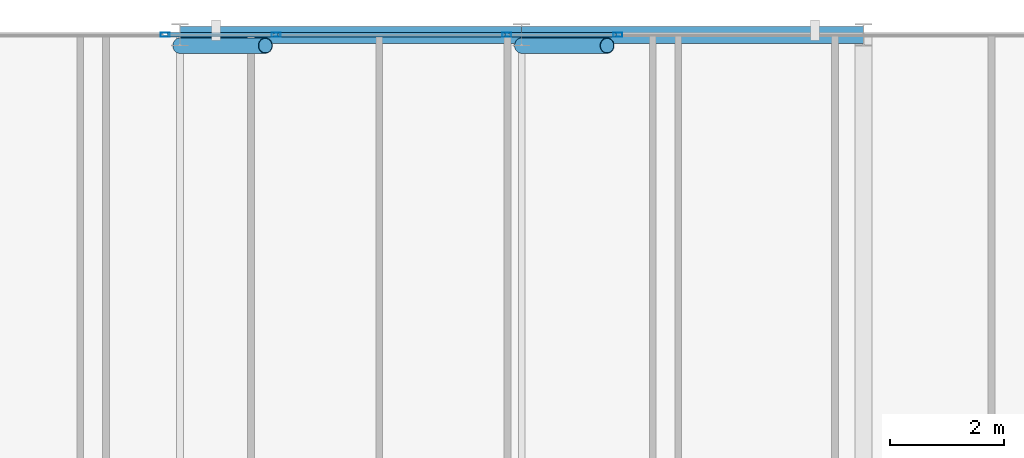
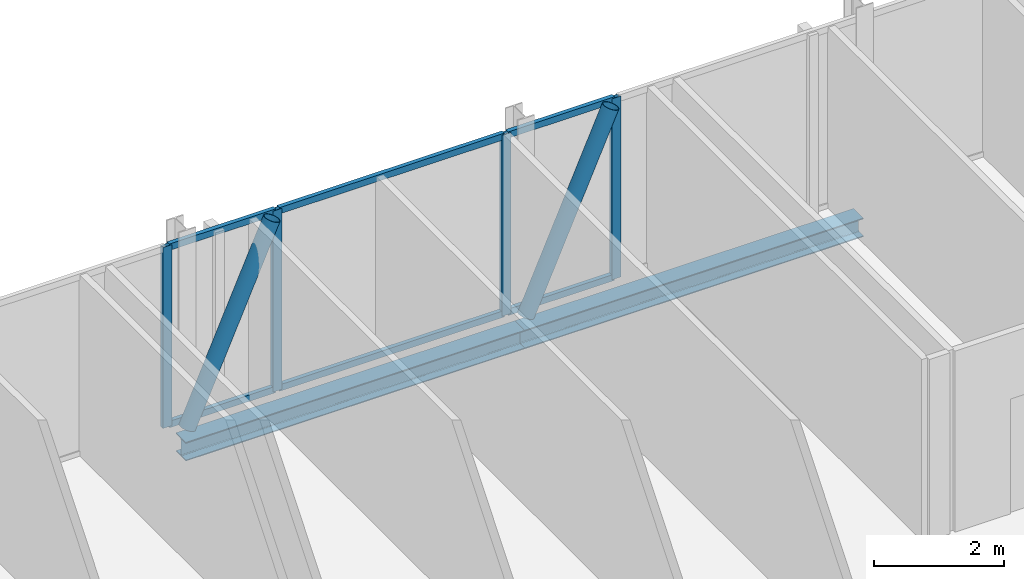
# One storey, part 17 of 28: 12 members, 2 beams, 4 elements without a shape of their own.
"""IFC4 building model written with IfcOpenShell, lengths in metres."""

import ifcopenshell
import ifcopenshell.guid

model = None  # the IFC model being written
_history = None  # IfcOwnerHistory: only IFC2X3 demands one
_inside = {}  # id of a spatial element -> (the spatial element, [elements in it])
_under = {}  # id of a project, library or spatial element -> (it, [spatial elements below it])
_declared = {}  # id of a project -> (the project, [libraries it declares])
_typed = {}  # id of a type object -> (the type object, [elements of that type])
_made_of = {}  # id of a material, layer set ... -> (it, [elements and type objects made of it])


def new_model(schema):
    """Start an empty IFC model of exactly this schema.

    Asked for "IFC4X3", IfcOpenShell would pick the latest addendum, in which some entities
    have other attributes; the version numbers below select the first issue.
    IFC2X3 requires an IfcOwnerHistory on every rooted entity: one is made here for all.
    """
    global model, _history
    if schema == "IFC4X3":
        model = ifcopenshell.file(schema_version=(4, 3, 0, 0))
    else:
        model = ifcopenshell.file(schema=schema)
    _inside.clear()
    _under.clear()
    _declared.clear()
    _typed.clear()
    _made_of.clear()
    _history = None
    if model.schema == "IFC2X3":
        org = make("IfcOrganization", Name="unknown")
        user = make(
            "IfcPersonAndOrganization",
            ThePerson=make("IfcPerson", FamilyName="unknown"),
            TheOrganization=org,
        )
        app = make(
            "IfcApplication",
            ApplicationDeveloper=org,
            Version="unknown",
            ApplicationFullName="unknown",
            ApplicationIdentifier="unknown",
        )
        _history = make(
            "IfcOwnerHistory",
            OwningUser=user,
            OwningApplication=app,
            ChangeAction="ADDED",
            CreationDate=0,
        )
    return model


def make(cls, **values):
    """One entity of the class cls with the attributes given. An attribute that is None is left unset."""
    return model.create_entity(
        cls, **{name: value for name, value in values.items() if value is not None}
    )


def rooted(cls, **values):
    """An entity with a GlobalId (a new one), such as an element, a storey or a relation."""
    return make(cls, GlobalId=ifcopenshell.guid.new(), OwnerHistory=_history, **values)


def si_unit(unit_type, name, prefix=None):
    """IfcSIUnit, for example si_unit("LENGTHUNIT", "METRE", prefix="MILLI")."""
    return make("IfcSIUnit", UnitType=unit_type, Prefix=prefix, Name=name)


def assignment(units):
    """IfcUnitAssignment: the units of a project."""
    return None if units is None else make("IfcUnitAssignment", Units=units)


def point(xyz):
    """IfcCartesianPoint."""
    return None if xyz is None else make("IfcCartesianPoint", Coordinates=xyz)


def direction(xyz):
    """IfcDirection."""
    return None if xyz is None else make("IfcDirection", DirectionRatios=xyz)


def frame(location, z_axis=None, x_axis=None):
    """IfcAxis2Placement3D, a coordinate frame: its origin and axes. An axis left out is left unset."""
    return make(
        "IfcAxis2Placement3D",
        Location=point(location),
        Axis=direction(z_axis),
        RefDirection=direction(x_axis),
    )


def frame_2d(location, x_axis=None):
    """IfcAxis2Placement2D, a coordinate frame in the plane: its origin and x axis."""
    return make(
        "IfcAxis2Placement2D", Location=point(location), RefDirection=direction(x_axis)
    )


def origin():
    """The frame at (0, 0, 0) with its axes left unset."""
    return frame((0.0, 0.0, 0.0))


def origin_2d():
    """The frame at (0, 0) in the plane with its x axis left unset."""
    return frame_2d((0.0, 0.0))


def place(relative_to, where):
    """IfcLocalPlacement: puts the frame where relative to a parent placement (None: the world)."""
    return make(
        "IfcLocalPlacement", PlacementRelTo=relative_to, RelativePlacement=where
    )


def context(
    kind, dimensions, precision=None, world=None, true_north=None, identifier=None
):
    """IfcGeometricRepresentationContext, for example the 3D "Model" context."""
    return make(
        "IfcGeometricRepresentationContext",
        ContextIdentifier=identifier,
        ContextType=kind,
        CoordinateSpaceDimension=dimensions,
        Precision=precision,
        WorldCoordinateSystem=world,
        TrueNorth=true_north,
    )


def subcontext(parent, identifier, kind, view, scale=None):
    """IfcGeometricRepresentationSubContext, for example "Body" below "Model"."""
    return make(
        "IfcGeometricRepresentationSubContext",
        ContextIdentifier=identifier,
        ContextType=kind,
        ParentContext=parent,
        TargetScale=scale,
        TargetView=view,
    )


def project(units=None, contexts=None):
    """IfcProject with its units and contexts."""
    return rooted(
        "IfcProject",
        Name="project",
        RepresentationContexts=contexts,
        UnitsInContext=assignment(units),
    )


def spatial(cls, under=None, at=None, **own):
    """A site, building, storey or space (cls), placed at a placement, below another one or the project."""
    s = rooted(cls, ObjectPlacement=at, **own)
    if under is not None:
        _under.setdefault(under.id(), (under, []))[1].append(s)
    return s


def profile(cls, at=None, kind="AREA", **sizes):
    """A parametric profile (cls). Its sizes go by their IFC names, for example OverallWidth=200.0."""
    return make(cls, ProfileType=kind, Position=at, **sizes)


def hollow_rectangle(**sizes):
    """IfcRectangleHollowProfileDef."""
    return profile("IfcRectangleHollowProfileDef", **sizes)


def hollow_circle(**sizes):
    """IfcCircleHollowProfileDef."""
    return profile("IfcCircleHollowProfileDef", **sizes)


def i_section(**sizes):
    """IfcIShapeProfileDef."""
    return profile("IfcIShapeProfileDef", **sizes)


def extrude(swept, where, along, depth):
    """IfcExtrudedAreaSolid: the profile swept, set in the frame where, extruded along a direction by depth."""
    return make(
        "IfcExtrudedAreaSolid",
        SweptArea=swept,
        Position=where,
        ExtrudedDirection=direction(along),
        Depth=depth,
    )


def shape(context_of_items, identifier, shape_type, items):
    """IfcShapeRepresentation: the items that make up one representation, for example the "Body"."""
    return make(
        "IfcShapeRepresentation",
        ContextOfItems=context_of_items,
        RepresentationIdentifier=identifier,
        RepresentationType=shape_type,
        Items=items,
    )


def material(Name=None, Category=None):
    """IfcMaterial."""
    return make("IfcMaterial", Name=Name, Category=Category)


def layer(
    of_material, thickness, ventilated=None, Name=None, Category=None, Priority=None
):
    """IfcMaterialLayer: one layer of a wall or slab, of a material (None: an air gap)."""
    return make(
        "IfcMaterialLayer",
        Material=of_material,
        LayerThickness=thickness,
        IsVentilated=ventilated,
        Name=Name,
        Category=Category,
        Priority=Priority,
    )


def layer_set(layers, Name=None):
    """IfcMaterialLayerSet."""
    return make("IfcMaterialLayerSet", MaterialLayers=layers, LayerSetName=Name)


def material_profile(
    of_material, cross_section, Name=None, Category=None, Priority=None
):
    """IfcMaterialProfile: a cross section and its material."""
    return make(
        "IfcMaterialProfile",
        Name=Name,
        Material=of_material,
        Profile=cross_section,
        Priority=Priority,
        Category=Category,
    )


def profile_set(profiles, Name=None, composite=None):
    """IfcMaterialProfileSet."""
    return make(
        "IfcMaterialProfileSet",
        Name=Name,
        MaterialProfiles=profiles,
        CompositeProfile=composite,
    )


def made_of(thing, what):
    """Note that an element or type object is made of a material, layer set ...; save() writes the relation."""
    if what is not None:
        _made_of.setdefault(what.id(), (what, []))[1].append(thing)
    return thing


def type_object(cls, material=None, **own):
    """A type object (cls), such as IfcWallType, which elements share."""
    return made_of(rooted(cls, **own), material)


def element(
    cls,
    number,
    at=None,
    inside=None,
    cuts=None,
    type_object=None,
    material=None,
    context=None,
    identifier="Body",
    shape_type=None,
    held_by="IfcProductDefinitionShape",
    body=None,
    shapes=None,
    **own,
):
    """One element of the class cls, such as IfcWall. Its Tag is "e" and its number.

    at: its placement. inside: the storey or other place that contains it. cuts: it is an
    opening in that element (IfcRelVoidsElement). A single representation is given by context,
    identifier, shape_type and body (its items); several are given by shapes. held_by: the class
    of the entity that holds the representations. save() writes the other relations.
    """
    e = rooted(cls, Tag="e%d" % number, ObjectPlacement=at, **own)
    if body is not None:
        shapes = [shape(context, identifier, shape_type, body)]
    if shapes is not None:
        e.Representation = make(held_by, Representations=shapes)
    if inside is not None:
        _inside.setdefault(inside.id(), (inside, []))[1].append(e)
    if cuts is not None:
        rooted(
            "IfcRelVoidsElement", RelatingBuildingElement=cuts, RelatedOpeningElement=e
        )
    if type_object is not None:
        _typed.setdefault(type_object.id(), (type_object, []))[1].append(e)
    return made_of(e, material)


def aggregate(whole, parts):
    """IfcRelAggregates: a whole, such as a stair, and the parts it consists of."""
    return rooted("IfcRelAggregates", RelatingObject=whole, RelatedObjects=parts)


def save(model, path):
    """Write the relations noted so far, then the file.

    IfcRelAggregates (storeys below a building ...), IfcRelContainedInSpatialStructure (elements
    in a storey), IfcRelDefinesByType, IfcRelAssociatesMaterial and IfcRelDeclares: one each for
    every whole, place, type object, material and project.
    """
    for whole, parts in _under.values():
        aggregate(whole, parts)
    for where, things in _inside.values():
        rooted(
            "IfcRelContainedInSpatialStructure",
            RelatedElements=things,
            RelatingStructure=where,
        )
    for kind, things in _typed.values():
        rooted("IfcRelDefinesByType", RelatedObjects=things, RelatingType=kind)
    for what, things in _made_of.values():
        rooted("IfcRelAssociatesMaterial", RelatedObjects=things, RelatingMaterial=what)
    for by, libraries in _declared.values():
        rooted("IfcRelDeclares", RelatingContext=by, RelatedDefinitions=libraries)
    model.write(path)


model = new_model("IFC4")

# Units and contexts
model_context = context("Model", 3, precision=1e-05, world=origin(), true_north=direction((0.0, 1.0)))
body_context = subcontext(model_context, "Body", "Model", "MODEL_VIEW")
ifc_project = project(units=[si_unit("LENGTHUNIT", "METRE"), si_unit("AREAUNIT", "SQUARE_METRE"), si_unit("VOLUMEUNIT", "CUBIC_METRE"), si_unit("PLANEANGLEUNIT", "RADIAN"), si_unit("MASSUNIT", "GRAM", prefix="KILO")], contexts=[model_context])

# Site, building, storey
site_placement = place(None, origin())
site = spatial("IfcSite", under=ifc_project, at=site_placement, CompositionType="ELEMENT")
building_placement = place(site_placement, origin())
building = spatial("IfcBuilding", under=site, at=building_placement, Name="Keshet Zoharim Tower", CompositionType="ELEMENT")
storey_placement = place(building_placement, frame((0.0, 0.0, 251.0)))
storey = spatial("IfcBuildingStorey", under=building, at=storey_placement, Name="L62", CompositionType="ELEMENT", Elevation=251.0)

# Beams
ifc_material_1 = material(Name="Steel S355", Category="steel")
ifc_material_profile_1 = material_profile(ifc_material_1, i_section(OverallWidth=0.300048828125, OverallDepth=0.35009765625, WebThickness=0.010009765625, FlangeThickness=0.017578125, FilletRadius=0.027099609375, at=origin_2d()), Name="HEA360")
ifc_profile_set_1 = profile_set([ifc_material_profile_1], Name="Steel S355")
beam_type = type_object("IfcBeamType", Name="BM-PRI-HA360", PredefinedType="BEAM", material=ifc_profile_set_1)
for number, where, z_axis, x_axis, name in (
    (1, (21.0, 53.89990234375, -0.485107421875), (1.0, 0.0, 0.0), (0.0, 1.0, 0.0), "L62 Primary Girder X-010"),
    (2, (27.0, 53.89990234375, -0.485107421875), (1.0, 0.0, 0.0), (0.0, 1.0, 0.0), "L62 Primary Girder X-011"),
):
    element("IfcBeam", number, at=place(storey_placement, frame(where, z_axis=z_axis, x_axis=x_axis)), inside=storey, type_object=beam_type, Name=name, PredefinedType="BEAM", context=body_context, shape_type="SweptSolid", body=[
        extrude(i_section(OverallWidth=0.300048828125, OverallDepth=0.35009765625, WebThickness=0.010009765625, FlangeThickness=0.017578125, FilletRadius=0.027099609375, at=origin_2d()), origin(), (0.0, 0.0, 1.0), 6.0),
    ])

# Curtain wall, member
ifc_material_2 = material(Name="Aluminium 6063-T6", Category="aluminium")
ifc_layer = layer(ifc_material_2, 0.260009765625)
ifc_layer_set = layer_set([ifc_layer], Name="Aluminium 6063-T6")
curtain_wall_type = type_object("IfcCurtainWallType", Name="CW-SYS-06", PredefinedType="NOTDEFINED", material=ifc_layer_set)
curtain_wall_1_placement = place(storey_placement, origin())
curtain_wall_1 = element("IfcCurtainWall", 3, at=curtain_wall_1_placement, inside=storey, type_object=curtain_wall_type, Name="L62 Unitised Curtain Wall 06", PredefinedType="NOTDEFINED")
ifc_material_profile_2 = material_profile(ifc_material_2, hollow_rectangle(XDim=0.074951171875, YDim=0.159912109375, WallThickness=0.00390625, at=origin_2d()), Name="MUL-75x160")
ifc_profile_set_2 = profile_set([ifc_material_profile_2], Name="Aluminium 6063-T6")
member_type_1 = type_object("IfcMemberType", Name="CWM-M15", PredefinedType="MULLION", material=ifc_profile_set_2)
member_1_placement = place(storey_placement, frame((20.740234375, 53.89990234375, 0.0), z_axis=(0.0, 0.0, 1.0), x_axis=(0.0, 1.0, 0.0)))
member_1 = element("IfcMember", 4, at=member_1_placement, type_object=member_type_1, Name="CW-06 mullion 2", PredefinedType="MULLION", context=body_context, shape_type="SweptSolid", body=[
    extrude(hollow_rectangle(XDim=0.074951171875, YDim=0.159912109375, WallThickness=0.00390625, at=origin_2d()), origin(), (0.0, 0.0, 1.0), 3.389892578125),
])
aggregate(curtain_wall_1, [member_1])

curtain_wall_2_placement = place(storey_placement, origin())
curtain_wall_2 = element("IfcCurtainWall", 5, at=curtain_wall_2_placement, inside=storey, type_object=curtain_wall_type, Name="L62 Unitised Curtain Wall 06 Part 2", PredefinedType="NOTDEFINED")
member_2_placement = place(storey_placement, frame((22.689697265625, 53.89990234375, 0.0), z_axis=(0.0, 0.0, 1.0), x_axis=(0.0, 1.0, 0.0)))
member_2 = element("IfcMember", 6, at=member_2_placement, type_object=member_type_1, Name="CW-06 mullion 2", PredefinedType="MULLION", context=body_context, shape_type="SweptSolid", body=[
    extrude(hollow_rectangle(XDim=0.074951171875, YDim=0.159912109375, WallThickness=0.00390625, at=origin_2d()), origin(), (0.0, 0.0, 1.0), 3.389892578125),
])

curtain_wall_3_placement = place(storey_placement, origin())
curtain_wall_3 = element("IfcCurtainWall", 7, at=curtain_wall_3_placement, inside=storey, type_object=curtain_wall_type, Name="L62 Unitised Curtain Wall 06 Part 3", PredefinedType="NOTDEFINED")
member_3_placement = place(storey_placement, frame((26.740234375, 53.89990234375, 0.0), z_axis=(0.0, 0.0, 1.0), x_axis=(0.0, 1.0, 0.0)))
member_3 = element("IfcMember", 8, at=member_3_placement, type_object=member_type_1, Name="CW-06 mullion 2", PredefinedType="MULLION", context=body_context, shape_type="SweptSolid", body=[
    extrude(hollow_rectangle(XDim=0.074951171875, YDim=0.159912109375, WallThickness=0.00390625, at=origin_2d()), origin(), (0.0, 0.0, 1.0), 3.389892578125),
])

curtain_wall_4_placement = place(storey_placement, origin())
curtain_wall_4 = element("IfcCurtainWall", 9, at=curtain_wall_4_placement, inside=storey, type_object=curtain_wall_type, Name="L62 Unitised Curtain Wall 06 Part 4", PredefinedType="NOTDEFINED")
member_4_placement = place(storey_placement, frame((28.689697265625, 53.89990234375, 0.0), z_axis=(0.0, 0.0, 1.0), x_axis=(0.0, 1.0, 0.0)))
member_4 = element("IfcMember", 10, at=member_4_placement, type_object=member_type_1, Name="CW-06 mullion 2", PredefinedType="MULLION", context=body_context, shape_type="SweptSolid", body=[
    extrude(hollow_rectangle(XDim=0.074951171875, YDim=0.159912109375, WallThickness=0.00390625, at=origin_2d()), origin(), (0.0, 0.0, 1.0), 3.389892578125),
])

# Member
ifc_material_profile_3 = material_profile(ifc_material_2, hollow_rectangle(XDim=0.074951171875, YDim=0.1201171875, WallThickness=0.00390625, at=origin_2d()), Name="TRN-75x120")
ifc_profile_set_3 = profile_set([ifc_material_profile_3], Name="Aluminium 6063-T6")
member_type_2 = type_object("IfcMemberType", Name="CWT-T12", PredefinedType="USERDEFINED", material=ifc_profile_set_3)
member_5_placement = place(storey_placement, frame((20.775146484375, 53.89990234375, 0.034912109375), z_axis=(1.0, 0.0, 0.0), x_axis=(0.0, 1.0, 0.0)))
member_5 = element("IfcMember", 11, at=member_5_placement, type_object=member_type_2, Name="CW-06 transom 1.1", ObjectType="TRANSOM", PredefinedType="USERDEFINED", context=body_context, shape_type="SweptSolid", body=[
    extrude(hollow_rectangle(XDim=0.074951171875, YDim=0.1201171875, WallThickness=0.00390625, at=origin_2d()), origin(), (0.0, 0.0, 1.0), 1.879638671875),
])

member_6_placement = place(storey_placement, frame((20.775146484375, 53.89990234375, 3.35498046875), z_axis=(1.0, 0.0, 0.0), x_axis=(0.0, 1.0, 0.0)))
member_6 = element("IfcMember", 12, at=member_6_placement, type_object=member_type_2, Name="CW-06 transom 1.2", ObjectType="TRANSOM", PredefinedType="USERDEFINED", context=body_context, shape_type="SweptSolid", body=[
    extrude(hollow_rectangle(XDim=0.074951171875, YDim=0.1201171875, WallThickness=0.00390625, at=origin_2d()), origin(), (0.0, 0.0, 1.0), 1.879638671875),
])

aggregate(curtain_wall_2, [member_2, member_5, member_6])

member_7_placement = place(storey_placement, frame((22.724853515625, 53.89990234375, 0.034912109375), z_axis=(1.0, 0.0, 0.0), x_axis=(0.0, 1.0, 0.0)))
member_7 = element("IfcMember", 13, at=member_7_placement, type_object=member_type_2, Name="CW-06 transom 1.1", ObjectType="TRANSOM", PredefinedType="USERDEFINED", context=body_context, shape_type="SweptSolid", body=[
    extrude(hollow_rectangle(XDim=0.074951171875, YDim=0.1201171875, WallThickness=0.00390625, at=origin_2d()), origin(), (0.0, 0.0, 1.0), 3.980224609375),
])

member_8_placement = place(storey_placement, frame((22.724853515625, 53.89990234375, 3.35498046875), z_axis=(1.0, 0.0, 0.0), x_axis=(0.0, 1.0, 0.0)))
member_8 = element("IfcMember", 14, at=member_8_placement, type_object=member_type_2, Name="CW-06 transom 1.2", ObjectType="TRANSOM", PredefinedType="USERDEFINED", context=body_context, shape_type="SweptSolid", body=[
    extrude(hollow_rectangle(XDim=0.074951171875, YDim=0.1201171875, WallThickness=0.00390625, at=origin_2d()), origin(), (0.0, 0.0, 1.0), 3.980224609375),
])

aggregate(curtain_wall_3, [member_3, member_7, member_8])

member_9_placement = place(storey_placement, frame((26.775146484375, 53.89990234375, 0.034912109375), z_axis=(1.0, 0.0, 0.0), x_axis=(0.0, 1.0, 0.0)))
member_9 = element("IfcMember", 15, at=member_9_placement, type_object=member_type_2, Name="CW-06 transom 1.1", ObjectType="TRANSOM", PredefinedType="USERDEFINED", context=body_context, shape_type="SweptSolid", body=[
    extrude(hollow_rectangle(XDim=0.074951171875, YDim=0.1201171875, WallThickness=0.00390625, at=origin_2d()), origin(), (0.0, 0.0, 1.0), 1.879638671875),
])

member_10_placement = place(storey_placement, frame((26.775146484375, 53.89990234375, 3.35498046875), z_axis=(1.0, 0.0, 0.0), x_axis=(0.0, 1.0, 0.0)))
member_10 = element("IfcMember", 16, at=member_10_placement, type_object=member_type_2, Name="CW-06 transom 1.2", ObjectType="TRANSOM", PredefinedType="USERDEFINED", context=body_context, shape_type="SweptSolid", body=[
    extrude(hollow_rectangle(XDim=0.074951171875, YDim=0.1201171875, WallThickness=0.00390625, at=origin_2d()), origin(), (0.0, 0.0, 1.0), 1.879638671875),
])

aggregate(curtain_wall_4, [member_4, member_9, member_10])

# Members
ifc_material_profile_4 = material_profile(ifc_material_1, hollow_circle(Radius=0.136474609375, WallThickness=0.010009765625, at=origin_2d()), Name="CHS273x10")
ifc_profile_set_4 = profile_set([ifc_material_profile_4], Name="Steel S355")
member_type_3 = type_object("IfcMemberType", Name="MB-BR-C273", PredefinedType="BRACE", material=ifc_profile_set_4)
for number, where, z_axis, x_axis, name in (
    (17, (21.0, 53.7099609375, 0.0), (0.40464689807, 0.0, 0.914473011019), (0.0, 1.0, 0.0), "L62 Perimeter Tube Brace 03"),
    (18, (27.0, 53.7099609375, 0.0), (0.40464689807, 0.0, 0.914473011019), (0.0, 1.0, 0.0), "L62 Perimeter Tube Brace 04"),
):
    element("IfcMember", number, at=place(storey_placement, frame(where, z_axis=z_axis, x_axis=x_axis)), inside=storey, type_object=member_type_3, Name=name, PredefinedType="BRACE", context=body_context, shape_type="SweptSolid", body=[
        extrude(hollow_circle(Radius=0.136474609375, WallThickness=0.010009765625, at=origin_2d()), origin(), (0.0, 0.0, 1.0), 3.70703125),
    ])

save(model, "model.ifc")
